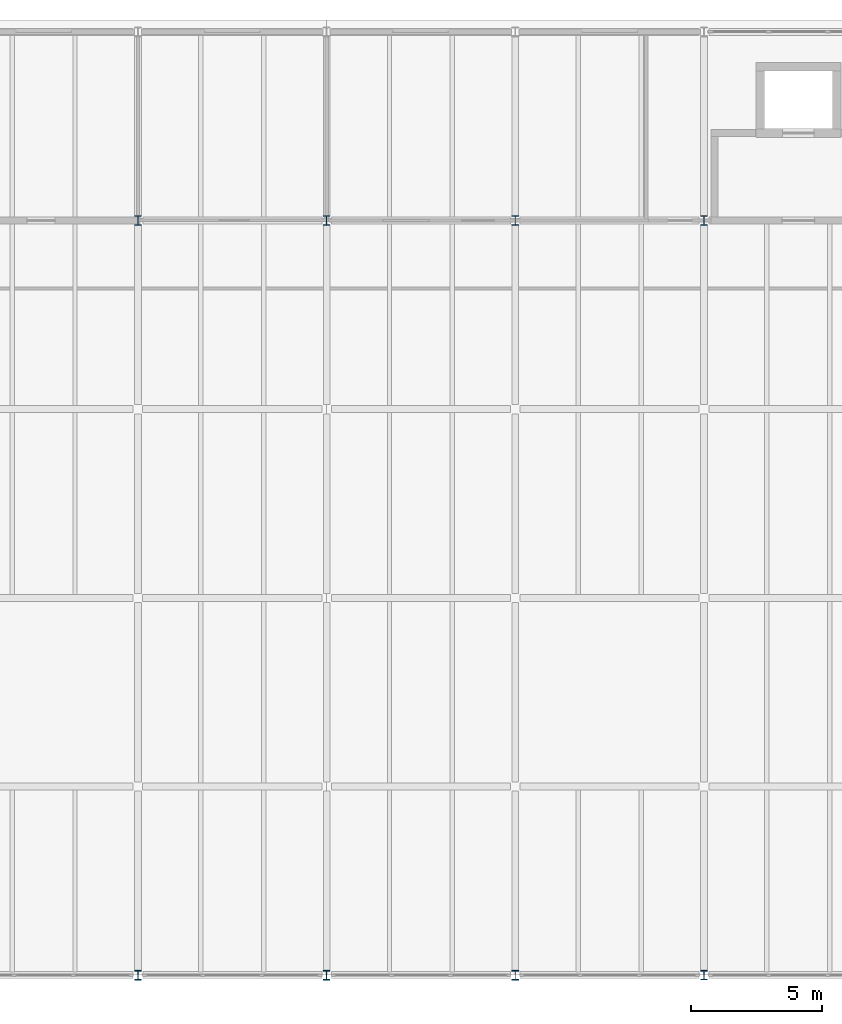
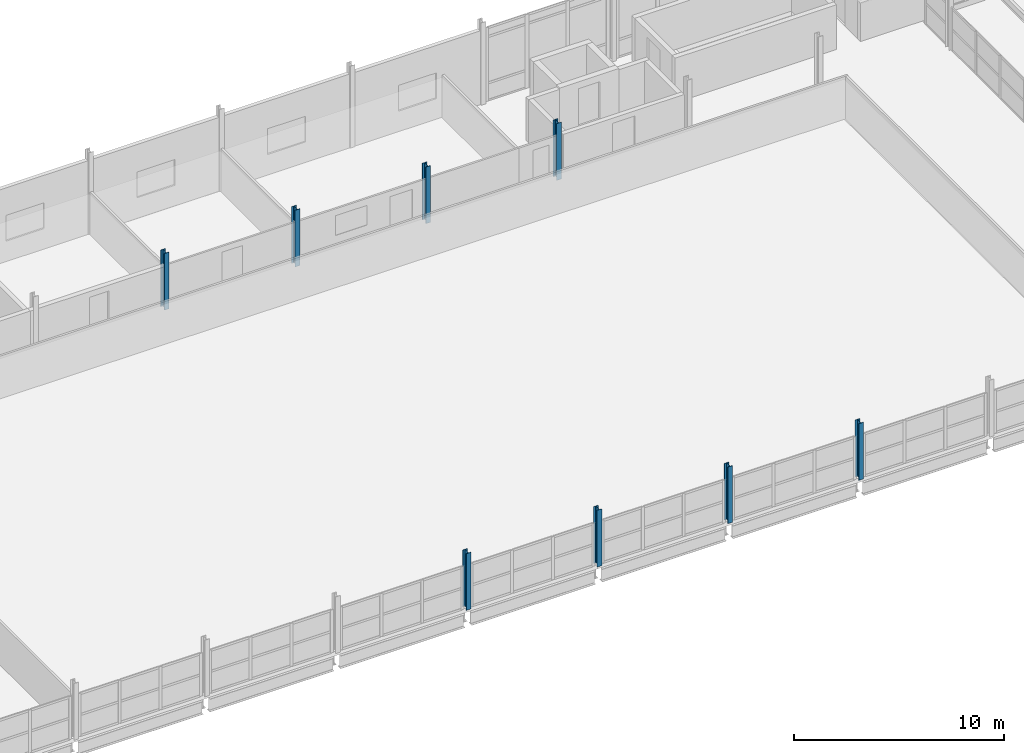
# One storey, part 2 of 25: 8 columns.
"""IFC4 building model written with IfcOpenShell, lengths in metres."""

import ifcopenshell
import ifcopenshell.guid

model = None  # the IFC model being written
_history = None  # IfcOwnerHistory: only IFC2X3 demands one
_inside = {}  # id of a spatial element -> (the spatial element, [elements in it])
_under = {}  # id of a project, library or spatial element -> (it, [spatial elements below it])
_declared = {}  # id of a project -> (the project, [libraries it declares])
_typed = {}  # id of a type object -> (the type object, [elements of that type])
_made_of = {}  # id of a material, layer set ... -> (it, [elements and type objects made of it])


def new_model(schema):
    """Start an empty IFC model of exactly this schema.

    Asked for "IFC4X3", IfcOpenShell would pick the latest addendum, in which some entities
    have other attributes; the version numbers below select the first issue.
    IFC2X3 requires an IfcOwnerHistory on every rooted entity: one is made here for all.
    """
    global model, _history
    if schema == "IFC4X3":
        model = ifcopenshell.file(schema_version=(4, 3, 0, 0))
    else:
        model = ifcopenshell.file(schema=schema)
    _inside.clear()
    _under.clear()
    _declared.clear()
    _typed.clear()
    _made_of.clear()
    _history = None
    if model.schema == "IFC2X3":
        org = make("IfcOrganization", Name="unknown")
        user = make(
            "IfcPersonAndOrganization",
            ThePerson=make("IfcPerson", FamilyName="unknown"),
            TheOrganization=org,
        )
        app = make(
            "IfcApplication",
            ApplicationDeveloper=org,
            Version="unknown",
            ApplicationFullName="unknown",
            ApplicationIdentifier="unknown",
        )
        _history = make(
            "IfcOwnerHistory",
            OwningUser=user,
            OwningApplication=app,
            ChangeAction="ADDED",
            CreationDate=0,
        )
    return model


def make(cls, **values):
    """One entity of the class cls with the attributes given. An attribute that is None is left unset."""
    return model.create_entity(
        cls, **{name: value for name, value in values.items() if value is not None}
    )


def rooted(cls, **values):
    """An entity with a GlobalId (a new one), such as an element, a storey or a relation."""
    return make(cls, GlobalId=ifcopenshell.guid.new(), OwnerHistory=_history, **values)


def si_unit(unit_type, name, prefix=None):
    """IfcSIUnit, for example si_unit("LENGTHUNIT", "METRE", prefix="MILLI")."""
    return make("IfcSIUnit", UnitType=unit_type, Prefix=prefix, Name=name)


def assignment(units):
    """IfcUnitAssignment: the units of a project."""
    return None if units is None else make("IfcUnitAssignment", Units=units)


def point(xyz):
    """IfcCartesianPoint."""
    return None if xyz is None else make("IfcCartesianPoint", Coordinates=xyz)


def direction(xyz):
    """IfcDirection."""
    return None if xyz is None else make("IfcDirection", DirectionRatios=xyz)


def frame(location, z_axis=None, x_axis=None):
    """IfcAxis2Placement3D, a coordinate frame: its origin and axes. An axis left out is left unset."""
    return make(
        "IfcAxis2Placement3D",
        Location=point(location),
        Axis=direction(z_axis),
        RefDirection=direction(x_axis),
    )


def frame_2d(location, x_axis=None):
    """IfcAxis2Placement2D, a coordinate frame in the plane: its origin and x axis."""
    return make(
        "IfcAxis2Placement2D", Location=point(location), RefDirection=direction(x_axis)
    )


def origin():
    """The frame at (0, 0, 0) with its axes left unset."""
    return frame((0.0, 0.0, 0.0))


def origin_2d():
    """The frame at (0, 0) in the plane with its x axis left unset."""
    return frame_2d((0.0, 0.0))


def place(relative_to, where):
    """IfcLocalPlacement: puts the frame where relative to a parent placement (None: the world)."""
    return make(
        "IfcLocalPlacement", PlacementRelTo=relative_to, RelativePlacement=where
    )


def context(
    kind, dimensions, precision=None, world=None, true_north=None, identifier=None
):
    """IfcGeometricRepresentationContext, for example the 3D "Model" context."""
    return make(
        "IfcGeometricRepresentationContext",
        ContextIdentifier=identifier,
        ContextType=kind,
        CoordinateSpaceDimension=dimensions,
        Precision=precision,
        WorldCoordinateSystem=world,
        TrueNorth=true_north,
    )


def subcontext(parent, identifier, kind, view, scale=None):
    """IfcGeometricRepresentationSubContext, for example "Body" below "Model"."""
    return make(
        "IfcGeometricRepresentationSubContext",
        ContextIdentifier=identifier,
        ContextType=kind,
        ParentContext=parent,
        TargetScale=scale,
        TargetView=view,
    )


def project(units=None, contexts=None):
    """IfcProject with its units and contexts."""
    return rooted(
        "IfcProject",
        Name="project",
        RepresentationContexts=contexts,
        UnitsInContext=assignment(units),
    )


def spatial(cls, under=None, at=None, **own):
    """A site, building, storey or space (cls), placed at a placement, below another one or the project."""
    s = rooted(cls, ObjectPlacement=at, **own)
    if under is not None:
        _under.setdefault(under.id(), (under, []))[1].append(s)
    return s


def profile(cls, at=None, kind="AREA", **sizes):
    """A parametric profile (cls). Its sizes go by their IFC names, for example OverallWidth=200.0."""
    return make(cls, ProfileType=kind, Position=at, **sizes)


def i_section(**sizes):
    """IfcIShapeProfileDef."""
    return profile("IfcIShapeProfileDef", **sizes)


def extrude(swept, where, along, depth):
    """IfcExtrudedAreaSolid: the profile swept, set in the frame where, extruded along a direction by depth."""
    return make(
        "IfcExtrudedAreaSolid",
        SweptArea=swept,
        Position=where,
        ExtrudedDirection=direction(along),
        Depth=depth,
    )


def shape(context_of_items, identifier, shape_type, items):
    """IfcShapeRepresentation: the items that make up one representation, for example the "Body"."""
    return make(
        "IfcShapeRepresentation",
        ContextOfItems=context_of_items,
        RepresentationIdentifier=identifier,
        RepresentationType=shape_type,
        Items=items,
    )


def material(Name=None, Category=None):
    """IfcMaterial."""
    return make("IfcMaterial", Name=Name, Category=Category)


def material_profile(
    of_material, cross_section, Name=None, Category=None, Priority=None
):
    """IfcMaterialProfile: a cross section and its material."""
    return make(
        "IfcMaterialProfile",
        Name=Name,
        Material=of_material,
        Profile=cross_section,
        Priority=Priority,
        Category=Category,
    )


def profile_set(profiles, Name=None, composite=None):
    """IfcMaterialProfileSet."""
    return make(
        "IfcMaterialProfileSet",
        Name=Name,
        MaterialProfiles=profiles,
        CompositeProfile=composite,
    )


def made_of(thing, what):
    """Note that an element or type object is made of a material, layer set ...; save() writes the relation."""
    if what is not None:
        _made_of.setdefault(what.id(), (what, []))[1].append(thing)
    return thing


def type_object(cls, material=None, **own):
    """A type object (cls), such as IfcWallType, which elements share."""
    return made_of(rooted(cls, **own), material)


def element(
    cls,
    number,
    at=None,
    inside=None,
    cuts=None,
    type_object=None,
    material=None,
    context=None,
    identifier="Body",
    shape_type=None,
    held_by="IfcProductDefinitionShape",
    body=None,
    shapes=None,
    **own,
):
    """One element of the class cls, such as IfcWall. Its Tag is "e" and its number.

    at: its placement. inside: the storey or other place that contains it. cuts: it is an
    opening in that element (IfcRelVoidsElement). A single representation is given by context,
    identifier, shape_type and body (its items); several are given by shapes. held_by: the class
    of the entity that holds the representations. save() writes the other relations.
    """
    e = rooted(cls, Tag="e%d" % number, ObjectPlacement=at, **own)
    if body is not None:
        shapes = [shape(context, identifier, shape_type, body)]
    if shapes is not None:
        e.Representation = make(held_by, Representations=shapes)
    if inside is not None:
        _inside.setdefault(inside.id(), (inside, []))[1].append(e)
    if cuts is not None:
        rooted(
            "IfcRelVoidsElement", RelatingBuildingElement=cuts, RelatedOpeningElement=e
        )
    if type_object is not None:
        _typed.setdefault(type_object.id(), (type_object, []))[1].append(e)
    return made_of(e, material)


def aggregate(whole, parts):
    """IfcRelAggregates: a whole, such as a stair, and the parts it consists of."""
    return rooted("IfcRelAggregates", RelatingObject=whole, RelatedObjects=parts)


def save(model, path):
    """Write the relations noted so far, then the file.

    IfcRelAggregates (storeys below a building ...), IfcRelContainedInSpatialStructure (elements
    in a storey), IfcRelDefinesByType, IfcRelAssociatesMaterial and IfcRelDeclares: one each for
    every whole, place, type object, material and project.
    """
    for whole, parts in _under.values():
        aggregate(whole, parts)
    for where, things in _inside.values():
        rooted(
            "IfcRelContainedInSpatialStructure",
            RelatedElements=things,
            RelatingStructure=where,
        )
    for kind, things in _typed.values():
        rooted("IfcRelDefinesByType", RelatedObjects=things, RelatingType=kind)
    for what, things in _made_of.values():
        rooted("IfcRelAssociatesMaterial", RelatedObjects=things, RelatingMaterial=what)
    for by, libraries in _declared.values():
        rooted("IfcRelDeclares", RelatingContext=by, RelatedDefinitions=libraries)
    model.write(path)


model = new_model("IFC4")

# Units and contexts
model_context = context("Model", 3, precision=1e-05, world=origin(), true_north=direction((0.0, 1.0)))
body_context = subcontext(model_context, "Body", "Model", "MODEL_VIEW")
ifc_project = project(units=[si_unit("LENGTHUNIT", "METRE"), si_unit("AREAUNIT", "SQUARE_METRE"), si_unit("VOLUMEUNIT", "CUBIC_METRE"), si_unit("PLANEANGLEUNIT", "RADIAN"), si_unit("MASSUNIT", "GRAM", prefix="KILO")], contexts=[model_context])

# Site, building, storey
site_placement = place(None, origin())
site = spatial("IfcSite", under=ifc_project, at=site_placement, CompositionType="ELEMENT")
building_placement = place(site_placement, origin())
building = spatial("IfcBuilding", under=site, at=building_placement, Name="Vaelcorin Mobility Hub", CompositionType="ELEMENT")
storey_placement = place(building_placement, frame((0.0, 0.0, 21.0)))
storey = spatial("IfcBuildingStorey", under=building, at=storey_placement, Name="L05", CompositionType="ELEMENT", Elevation=21.0)

# Columns
ifc_material = material(Name="Steel ASTM A992 Grade 50", Category="steel")
ifc_material_profile = material_profile(ifc_material, i_section(OverallWidth=0.257080078125, OverallDepth=0.363037109375, WebThickness=0.012939453125, FlangeThickness=0.021728515625, FilletRadius=0.014892578125, at=origin_2d()), Name="W14X82")
ifc_profile_set = profile_set([ifc_material_profile], Name="Steel ASTM A992 Grade 50")
column_type = type_object("IfcColumnType", Name="COL-W14X82", PredefinedType="COLUMN", material=ifc_profile_set)
for number, where, z_axis, x_axis, name in (
    (1, (72.0, 84.0, 0.0), (0.0, 0.0, 1.0), (1.0, 0.0, 0.0), "Column V4-X06Y02 L05"),
    (2, (72.0, 112.800048828125, 0.0), (0.0, 0.0, 1.0), (1.0, 0.0, 0.0), "Column V4-X06Y06 L05"),
    (3, (79.199951171875, 84.0, 0.0), (0.0, 0.0, 1.0), (1.0, 0.0, 0.0), "Column V4-X07Y02 L05"),
    (4, (79.199951171875, 112.800048828125, 0.0), (0.0, 0.0, 1.0), (1.0, 0.0, 0.0), "Column V4-X07Y06 L05"),
    (5, (86.39990234375, 84.0, 0.0), (0.0, 0.0, 1.0), (1.0, 0.0, 0.0), "Column V4-X08Y02 L05"),
    (6, (86.39990234375, 112.800048828125, 0.0), (0.0, 0.0, 1.0), (1.0, 0.0, 0.0), "Column V4-X08Y06 L05"),
    (7, (93.60009765625, 84.0, 0.0), (0.0, 0.0, 1.0), (1.0, 0.0, 0.0), "Column V4-X09Y02 L05"),
    (8, (93.60009765625, 112.800048828125, 0.0), (0.0, 0.0, 1.0), (1.0, 0.0, 0.0), "Column V4-X09Y06 L05"),
):
    element("IfcColumn", number, at=place(storey_placement, frame(where, z_axis=z_axis, x_axis=x_axis)), inside=storey, type_object=column_type, Name=name, PredefinedType="COLUMN", context=body_context, shape_type="SweptSolid", body=[
        extrude(i_section(OverallWidth=0.257080078125, OverallDepth=0.363037109375, WebThickness=0.012939453125, FlangeThickness=0.021728515625, FilletRadius=0.014892578125, at=origin_2d()), origin(), (0.0, 0.0, 1.0), 3.300048828125),
    ])

save(model, "model.ifc")
